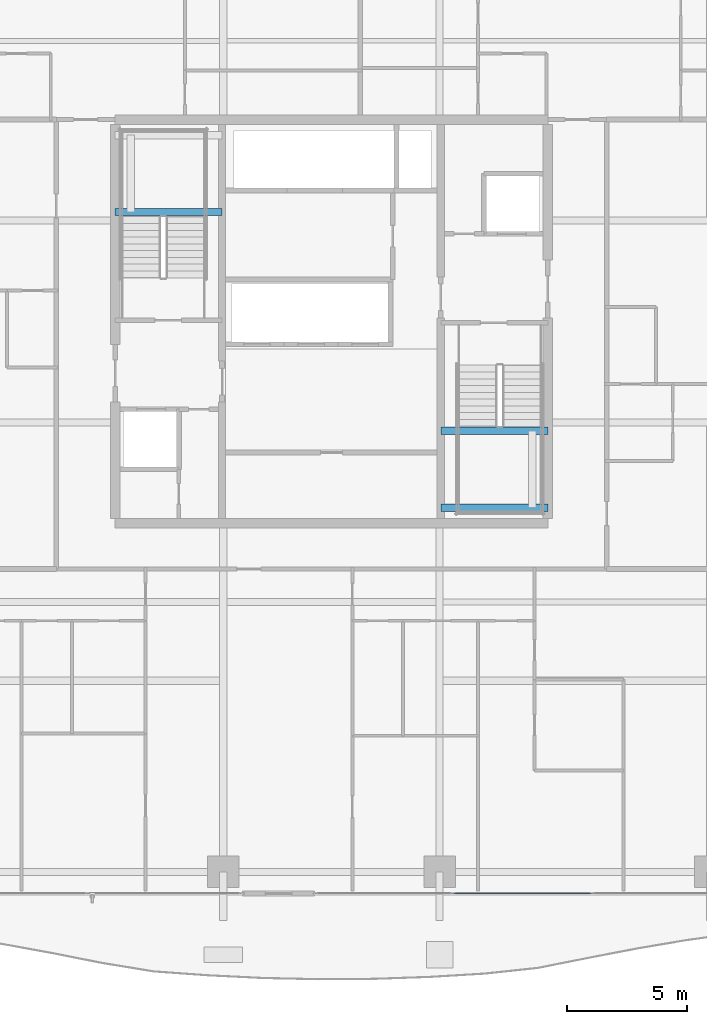
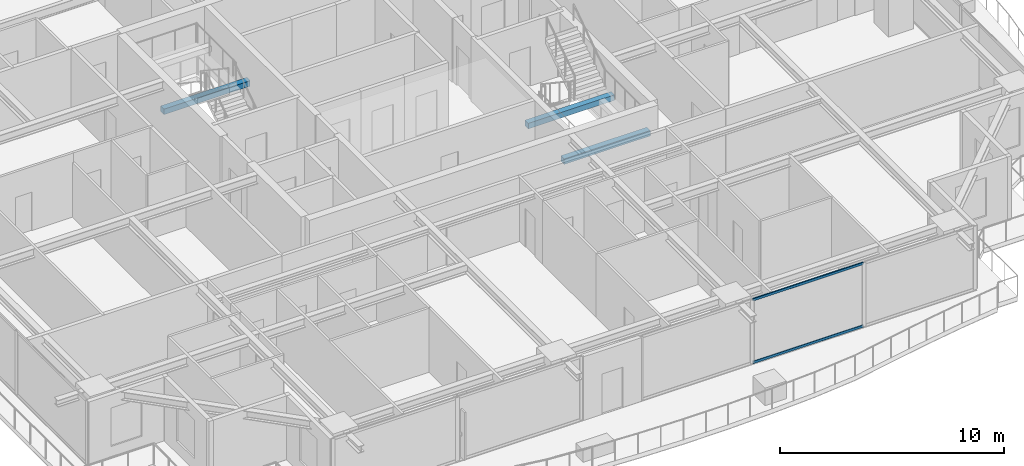
# One storey, part 9 of 36: 3 beams, 2 members, 1 element without a shape of its own.
"""IFC4 building model written with IfcOpenShell, lengths in metres."""

from ifc_helpers import new_model, si_unit, direction, frame, origin, origin_2d, place, context, subcontext, project, spatial, rectangle, hollow_rectangle, extrude, source, transform, mapped, material, layer, layer_set, material_profile, profile_set, type_object, element, aggregate, save


model = new_model("IFC4")

# Units and contexts
model_context = context("Model", 3, precision=1e-05, world=origin(), true_north=direction((0.0, 1.0)))
body_context = subcontext(model_context, "Body", "Model", "MODEL_VIEW")
ifc_project = project(units=[si_unit("LENGTHUNIT", "METRE"), si_unit("AREAUNIT", "SQUARE_METRE"), si_unit("VOLUMEUNIT", "CUBIC_METRE"), si_unit("PLANEANGLEUNIT", "RADIAN"), si_unit("MASSUNIT", "GRAM", prefix="KILO")], contexts=[model_context])

# Site, building, storey
site_placement = place(None, origin())
site = spatial("IfcSite", under=ifc_project, at=site_placement, CompositionType="ELEMENT")
building_placement = place(site_placement, origin())
building = spatial("IfcBuilding", under=site, at=building_placement, Name="Serunith Strait Residences", CompositionType="ELEMENT")
storey_placement = place(building_placement, frame((0.0, 0.0, 146.39990234375)))
storey = spatial("IfcBuildingStorey", under=building, at=storey_placement, Name="L36", CompositionType="ELEMENT", Elevation=146.39990234375)

# Beams
ifc_material_1 = material(Name="Concrete C60/75", Category="concrete")
ifc_material_profile_1 = material_profile(ifc_material_1, rectangle(XDim=0.300048828125, YDim=0.300048828125, at=origin_2d()), Name="RC 300x300")
ifc_profile_set_1 = profile_set([ifc_material_profile_1], Name="Concrete C60/75")
beam_type = type_object("IfcBeamType", Name="BM-LAND-300x300", PredefinedType="BEAM", material=ifc_profile_set_1)
shared_shape_1 = source(origin(), body_context, "Body", "SweptSolid", [
    extrude(rectangle(XDim=0.300048828125, YDim=0.300048828125, at=origin_2d()), origin(), (0.0, 0.0, 1.0), 4.4501953125),
])
beam_placement = place(storey_placement, frame((23.39990234375, 29.75, 1.525146484375), z_axis=(1.0, 0.0, 0.0), x_axis=(0.0, 1.0, 0.0)))
element("IfcBeam", 1, at=beam_placement, inside=storey, type_object=beam_type, Name="L36 ST-1 Landing Support Beam 1", PredefinedType="BEAM", context=body_context, shape_type="MappedRepresentation", body=[
    mapped(shared_shape_1, transform((0.0, 0.0, 0.0), scale=1.0)),
])
shared_shape_2 = source(origin(), body_context, "Body", "SweptSolid", [
    extrude(rectangle(XDim=0.300048828125, YDim=0.300048828125, at=origin_2d()), origin(), (0.0, 0.0, 1.0), 4.449951171875),
])
for number, where, z_axis, x_axis, name in (
    (2, (36.949951171875, 17.449951171875, 1.525146484375), (1.0, 0.0, 0.0), (0.0, 1.0, 0.0), "L36 ST-2 Landing Support Beam 1"),
    (3, (36.949951171875, 20.64990234375, 1.525146484375), (1.0, 0.0, 0.0), (0.0, 1.0, 0.0), "L36 ST-2 Landing Support Beam 2"),
):
    element("IfcBeam", number, at=place(storey_placement, frame(where, z_axis=z_axis, x_axis=x_axis)), inside=storey, type_object=beam_type, Name=name, PredefinedType="BEAM", context=body_context, shape_type="MappedRepresentation", body=[
        mapped(shared_shape_2, transform((0.0, 0.0, 0.0), scale=1.0)),
    ])

# Curtain wall, members
ifc_material_2 = material(Name="Pale-Champagne Anodised Aluminium", Category="aluminium")
ifc_layer = layer(ifc_material_2, 0.199951171875, Name="Pale-Champagne Anodised Aluminium")
ifc_layer_set = layer_set([ifc_layer], Name="Pale-Champagne Anodised Aluminium")
curtain_wall_type = type_object("IfcCurtainWallType", Name="CW-SYS2", PredefinedType="NOTDEFINED", material=ifc_layer_set)
curtain_wall_placement = place(storey_placement, origin())
curtain_wall = element("IfcCurtainWall", 4, at=curtain_wall_placement, inside=storey, type_object=curtain_wall_type, Name="L36 S Unitised Fritted Curtain Wall", PredefinedType="NOTDEFINED")
ifc_material_profile_2 = material_profile(ifc_material_2, hollow_rectangle(XDim=0.06005859375, YDim=0.139892578125, WallThickness=0.00341796875, InnerFilletRadius=0.00537109375, OuterFilletRadius=0.0087890625, at=origin_2d()), Name="ALU 140x60x3.5")
ifc_profile_set_2 = profile_set([ifc_material_profile_2], Name="Pale-Champagne Anodised Aluminium")
member_type = type_object("IfcMemberType", Name="CW-SYS2-TRAN", PredefinedType="USERDEFINED", material=ifc_profile_set_2)
shared_shape_3 = source(origin(), body_context, "Body", "SweptSolid", [
    extrude(hollow_rectangle(XDim=0.06005859375, YDim=0.139892578125, WallThickness=0.00341796875, InnerFilletRadius=0.00537109375, OuterFilletRadius=0.0087890625, at=origin_2d()), origin(), (0.0, 0.0, 1.0), 5.696533203125),
])
member_1_placement = place(storey_placement, frame((37.501708984375, 1.39990234375, 0.030029296875), z_axis=(1.0, 0.0, 0.0), x_axis=(0.0, 1.0, 0.0)))
member_1 = element("IfcMember", 5, at=member_1_placement, type_object=member_type, Name="CW-2 transom 2.1", ObjectType="TRANSOM", PredefinedType="USERDEFINED", context=body_context, shape_type="MappedRepresentation", body=[
    mapped(shared_shape_3, transform((0.0, 0.0, 0.0), scale=1.0)),
])
member_2_placement = place(storey_placement, frame((37.501708984375, 1.39990234375, 3.445068359375), z_axis=(1.0, 0.0, 0.0), x_axis=(0.0, 1.0, 0.0)))
member_2 = element("IfcMember", 6, at=member_2_placement, type_object=member_type, Name="CW-2 transom 2.2", ObjectType="TRANSOM", PredefinedType="USERDEFINED", context=body_context, shape_type="MappedRepresentation", body=[
    mapped(shared_shape_3, transform((0.0, 0.0, 0.0), scale=1.0)),
])
aggregate(curtain_wall, [member_1, member_2])

save(model, "model.ifc")
